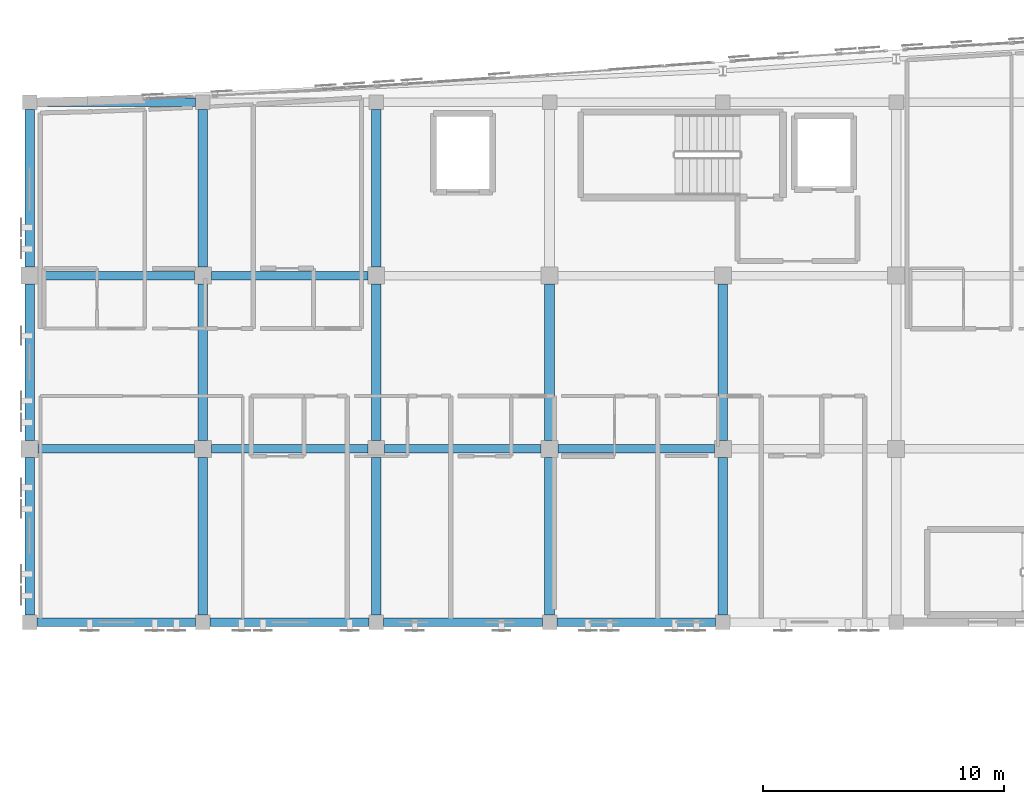
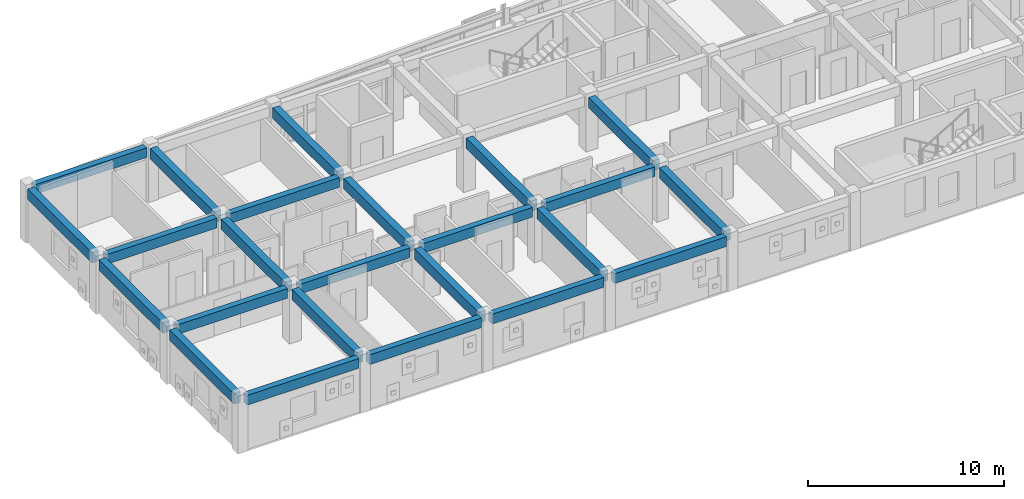
# One storey, part 5 of 50: 24 beams.
"""IFC4 building model written with IfcOpenShell, lengths in metres."""

from ifc_helpers import new_model, si_unit, direction, frame, origin, origin_2d, place, context, subcontext, project, spatial, rectangle, extrude, material, material_profile, profile_set, type_object, element, save


model = new_model("IFC4")

# Units and contexts
model_context = context("Model", 3, precision=1e-05, world=origin(), true_north=direction((0.0, 1.0)))
body_context = subcontext(model_context, "Body", "Model", "MODEL_VIEW")
ifc_project = project(units=[si_unit("LENGTHUNIT", "METRE"), si_unit("AREAUNIT", "SQUARE_METRE"), si_unit("VOLUMEUNIT", "CUBIC_METRE"), si_unit("PLANEANGLEUNIT", "RADIAN"), si_unit("MASSUNIT", "GRAM", prefix="KILO")], contexts=[model_context])

# Site, building, storey
site_placement = place(None, origin())
site = spatial("IfcSite", under=ifc_project, at=site_placement, CompositionType="ELEMENT")
building_placement = place(site_placement, origin())
building = spatial("IfcBuilding", under=site, at=building_placement, Name="Carrowvane Square Congress Hotel", CompositionType="ELEMENT")
storey_placement = place(building_placement, frame((0.0, 0.0, 22.800048828125)))
storey = spatial("IfcBuildingStorey", under=building, at=storey_placement, Name="L05", CompositionType="ELEMENT", Elevation=22.800048828125)

# Beams
ifc_material_1 = material(Name="Concrete C35/45", Category="concrete")
ifc_material_profile_1 = material_profile(ifc_material_1, rectangle(XDim=0.35009765625, YDim=0.60009765625, at=origin_2d()), Name="RC 350x600")
ifc_profile_set_1 = profile_set([ifc_material_profile_1], Name="Concrete C35/45")
beam_type_1 = type_object("IfcBeamType", Name="BM-RC-350x600", PredefinedType="BEAM", material=ifc_profile_set_1)
for number, where, z_axis, x_axis, name in (
    (1, (33.5, 91.800048828125, 3.050048828125), (1.0, 0.0, 0.0), (0.0, 1.0, 0.0), "L06 girder N/4-5"),
    (2, (40.699951171875, 91.800048828125, 3.050048828125), (1.0, 0.0, 0.0), (0.0, 1.0, 0.0), "L06 girder N/5-6"),
    (3, (47.89990234375, 91.800048828125, 3.050048828125), (1.0, 0.0, 0.0), (0.0, 1.0, 0.0), "L06 girder N/6-7"),
):
    element("IfcBeam", number, at=place(storey_placement, frame(where, z_axis=z_axis, x_axis=x_axis)), inside=storey, type_object=beam_type_1, Name=name, PredefinedType="BEAM", context=body_context, shape_type="SweptSolid", body=[
        extrude(rectangle(XDim=0.35009765625, YDim=0.60009765625, at=origin_2d()), origin(), (0.0, 0.0, 1.0), 6.60009765625),
    ])
beam_1_placement = place(storey_placement, frame((55.10009765625, 91.800048828125, 3.050048828125), z_axis=(1.0, 0.0, 0.0), x_axis=(0.0, 1.0, 0.0)))
element("IfcBeam", 4, at=beam_1_placement, inside=storey, type_object=beam_type_1, Name="L06 girder N/7-8", PredefinedType="BEAM", context=body_context, shape_type="SweptSolid", body=[
    extrude(rectangle(XDim=0.35009765625, YDim=0.60009765625, at=origin_2d()), origin(), (0.0, 0.0, 1.0), 6.599853515625),
])
for number, where, z_axis, x_axis, name in (
    (5, (33.550048828125, 99.0, 3.050048828125), (1.0, 0.0, 0.0), (0.0, 1.0, 0.0), "L06 girder P/4-5"),
    (6, (40.75, 99.0, 3.050048828125), (1.0, 0.0, 0.0), (0.0, 1.0, 0.0), "L06 girder P/5-6"),
    (7, (47.949951171875, 99.0, 3.050048828125), (1.0, 0.0, 0.0), (0.0, 1.0, 0.0), "L06 girder P/6-7"),
    (8, (55.14990234375, 99.0, 3.050048828125), (1.0, 0.0, 0.0), (0.0, 1.0, 0.0), "L06 girder P/7-8"),
    (9, (33.550048828125, 106.199951171875, 3.050048828125), (1.0, 0.0, 0.0), (0.0, 1.0, 0.0), "L06 girder Q/4-5"),
    (10, (40.75, 106.199951171875, 3.050048828125), (1.0, 0.0, 0.0), (0.0, 1.0, 0.0), "L06 girder Q/5-6"),
):
    element("IfcBeam", number, at=place(storey_placement, frame(where, z_axis=z_axis, x_axis=x_axis)), inside=storey, type_object=beam_type_1, Name=name, PredefinedType="BEAM", context=body_context, shape_type="SweptSolid", body=[
        extrude(rectangle(XDim=0.35009765625, YDim=0.60009765625, at=origin_2d()), origin(), (0.0, 0.0, 1.0), 6.5),
    ])
beam_2_placement = place(storey_placement, frame((33.5, 113.39990234375, 3.050048828125), z_axis=(1.0, 0.0, 0.0), x_axis=(0.0, 1.0, 0.0)))
element("IfcBeam", 11, at=beam_2_placement, inside=storey, type_object=beam_type_1, Name="L06 girder R/4-5", PredefinedType="BEAM", context=body_context, shape_type="SweptSolid", body=[
    extrude(rectangle(XDim=0.35009765625, YDim=0.60009765625, at=origin_2d()), origin(), (0.0, 0.0, 1.0), 6.60009765625),
])
ifc_material_2 = material(Name="Concrete C35/45", Category="concrete")
ifc_material_profile_2 = material_profile(ifc_material_2, rectangle(XDim=0.39990234375, YDim=0.64990234375, at=origin_2d()), Name="RC 400x650")
ifc_profile_set_2 = profile_set([ifc_material_profile_2], Name="Concrete C35/45")
beam_type_2 = type_object("IfcBeamType", Name="BM-RC-400x650", PredefinedType="BEAM", material=ifc_profile_set_2)
beam_3_placement = place(storey_placement, frame((33.199951171875, 92.10009765625, 3.02490234375), z_axis=(0.0, 1.0, 0.0), x_axis=(-1.0, 0.0, 0.0)))
element("IfcBeam", 12, at=beam_3_placement, inside=storey, type_object=beam_type_2, Name="L06 girder 4/N-P", PredefinedType="BEAM", context=body_context, shape_type="SweptSolid", body=[
    extrude(rectangle(XDim=0.39990234375, YDim=0.64990234375, at=origin_2d()), origin(), (0.0, 0.0, 1.0), 6.5498046875),
])
beam_4_placement = place(storey_placement, frame((33.199951171875, 99.35009765625, 3.02490234375), z_axis=(0.0, 1.0, 0.0), x_axis=(-1.0, 0.0, 0.0)))
element("IfcBeam", 13, at=beam_4_placement, inside=storey, type_object=beam_type_2, Name="L06 girder 4/P-Q", PredefinedType="BEAM", context=body_context, shape_type="SweptSolid", body=[
    extrude(rectangle(XDim=0.39990234375, YDim=0.64990234375, at=origin_2d()), origin(), (0.0, 0.0, 1.0), 6.5),
])
beam_5_placement = place(storey_placement, frame((33.199951171875, 106.550048828125, 3.02490234375), z_axis=(0.0, 1.0, 0.0), x_axis=(-1.0, 0.0, 0.0)))
element("IfcBeam", 14, at=beam_5_placement, inside=storey, type_object=beam_type_2, Name="L06 girder 4/Q-R", PredefinedType="BEAM", context=body_context, shape_type="SweptSolid", body=[
    extrude(rectangle(XDim=0.39990234375, YDim=0.64990234375, at=origin_2d()), origin(), (0.0, 0.0, 1.0), 6.550048828125),
])
beam_6_placement = place(storey_placement, frame((40.39990234375, 92.10009765625, 3.02490234375), z_axis=(0.0, 1.0, 0.0), x_axis=(-1.0, 0.0, 0.0)))
element("IfcBeam", 15, at=beam_6_placement, inside=storey, type_object=beam_type_2, Name="L06 girder 5/N-P", PredefinedType="BEAM", context=body_context, shape_type="SweptSolid", body=[
    extrude(rectangle(XDim=0.39990234375, YDim=0.64990234375, at=origin_2d()), origin(), (0.0, 0.0, 1.0), 6.5498046875),
])
beam_7_placement = place(storey_placement, frame((40.39990234375, 99.35009765625, 3.02490234375), z_axis=(0.0, 1.0, 0.0), x_axis=(-1.0, 0.0, 0.0)))
element("IfcBeam", 16, at=beam_7_placement, inside=storey, type_object=beam_type_2, Name="L06 girder 5/P-Q", PredefinedType="BEAM", context=body_context, shape_type="SweptSolid", body=[
    extrude(rectangle(XDim=0.39990234375, YDim=0.64990234375, at=origin_2d()), origin(), (0.0, 0.0, 1.0), 6.5),
])
beam_8_placement = place(storey_placement, frame((40.39990234375, 106.550048828125, 3.02490234375), z_axis=(0.0, 1.0, 0.0), x_axis=(-1.0, 0.0, 0.0)))
element("IfcBeam", 17, at=beam_8_placement, inside=storey, type_object=beam_type_2, Name="L06 girder 5/Q-R", PredefinedType="BEAM", context=body_context, shape_type="SweptSolid", body=[
    extrude(rectangle(XDim=0.39990234375, YDim=0.64990234375, at=origin_2d()), origin(), (0.0, 0.0, 1.0), 6.550048828125),
])
beam_9_placement = place(storey_placement, frame((47.60009765625, 92.10009765625, 3.02490234375), z_axis=(0.0, 1.0, 0.0), x_axis=(-1.0, 0.0, 0.0)))
element("IfcBeam", 18, at=beam_9_placement, inside=storey, type_object=beam_type_2, Name="L06 girder 6/N-P", PredefinedType="BEAM", context=body_context, shape_type="SweptSolid", body=[
    extrude(rectangle(XDim=0.39990234375, YDim=0.64990234375, at=origin_2d()), origin(), (0.0, 0.0, 1.0), 6.5498046875),
])
beam_10_placement = place(storey_placement, frame((47.60009765625, 99.35009765625, 3.02490234375), z_axis=(0.0, 1.0, 0.0), x_axis=(-1.0, 0.0, 0.0)))
element("IfcBeam", 19, at=beam_10_placement, inside=storey, type_object=beam_type_2, Name="L06 girder 6/P-Q", PredefinedType="BEAM", context=body_context, shape_type="SweptSolid", body=[
    extrude(rectangle(XDim=0.39990234375, YDim=0.64990234375, at=origin_2d()), origin(), (0.0, 0.0, 1.0), 6.5),
])
beam_11_placement = place(storey_placement, frame((47.60009765625, 106.550048828125, 3.02490234375), z_axis=(0.0, 1.0, 0.0), x_axis=(-1.0, 0.0, 0.0)))
element("IfcBeam", 20, at=beam_11_placement, inside=storey, type_object=beam_type_2, Name="L06 girder 6/Q-R", PredefinedType="BEAM", context=body_context, shape_type="SweptSolid", body=[
    extrude(rectangle(XDim=0.39990234375, YDim=0.64990234375, at=origin_2d()), origin(), (0.0, 0.0, 1.0), 6.550048828125),
])
beam_12_placement = place(storey_placement, frame((54.800048828125, 92.10009765625, 3.02490234375), z_axis=(0.0, 1.0, 0.0), x_axis=(-1.0, 0.0, 0.0)))
element("IfcBeam", 21, at=beam_12_placement, inside=storey, type_object=beam_type_2, Name="L06 girder 7/N-P", PredefinedType="BEAM", context=body_context, shape_type="SweptSolid", body=[
    extrude(rectangle(XDim=0.39990234375, YDim=0.64990234375, at=origin_2d()), origin(), (0.0, 0.0, 1.0), 6.5498046875),
])
beam_13_placement = place(storey_placement, frame((54.800048828125, 99.35009765625, 3.02490234375), z_axis=(0.0, 1.0, 0.0), x_axis=(-1.0, 0.0, 0.0)))
element("IfcBeam", 22, at=beam_13_placement, inside=storey, type_object=beam_type_2, Name="L06 girder 7/P-Q", PredefinedType="BEAM", context=body_context, shape_type="SweptSolid", body=[
    extrude(rectangle(XDim=0.39990234375, YDim=0.64990234375, at=origin_2d()), origin(), (0.0, 0.0, 1.0), 6.5),
])
beam_14_placement = place(storey_placement, frame((62.0, 92.10009765625, 3.02490234375), z_axis=(0.0, 1.0, 0.0), x_axis=(-1.0, 0.0, 0.0)))
element("IfcBeam", 23, at=beam_14_placement, inside=storey, type_object=beam_type_2, Name="L06 girder 8/N-P", PredefinedType="BEAM", context=body_context, shape_type="SweptSolid", body=[
    extrude(rectangle(XDim=0.39990234375, YDim=0.64990234375, at=origin_2d()), origin(), (0.0, 0.0, 1.0), 6.5498046875),
])
beam_15_placement = place(storey_placement, frame((62.0, 99.35009765625, 3.02490234375), z_axis=(0.0, 1.0, 0.0), x_axis=(-1.0, 0.0, 0.0)))
element("IfcBeam", 24, at=beam_15_placement, inside=storey, type_object=beam_type_2, Name="L06 girder 8/P-Q", PredefinedType="BEAM", context=body_context, shape_type="SweptSolid", body=[
    extrude(rectangle(XDim=0.39990234375, YDim=0.64990234375, at=origin_2d()), origin(), (0.0, 0.0, 1.0), 6.5),
])

save(model, "model.ifc")
